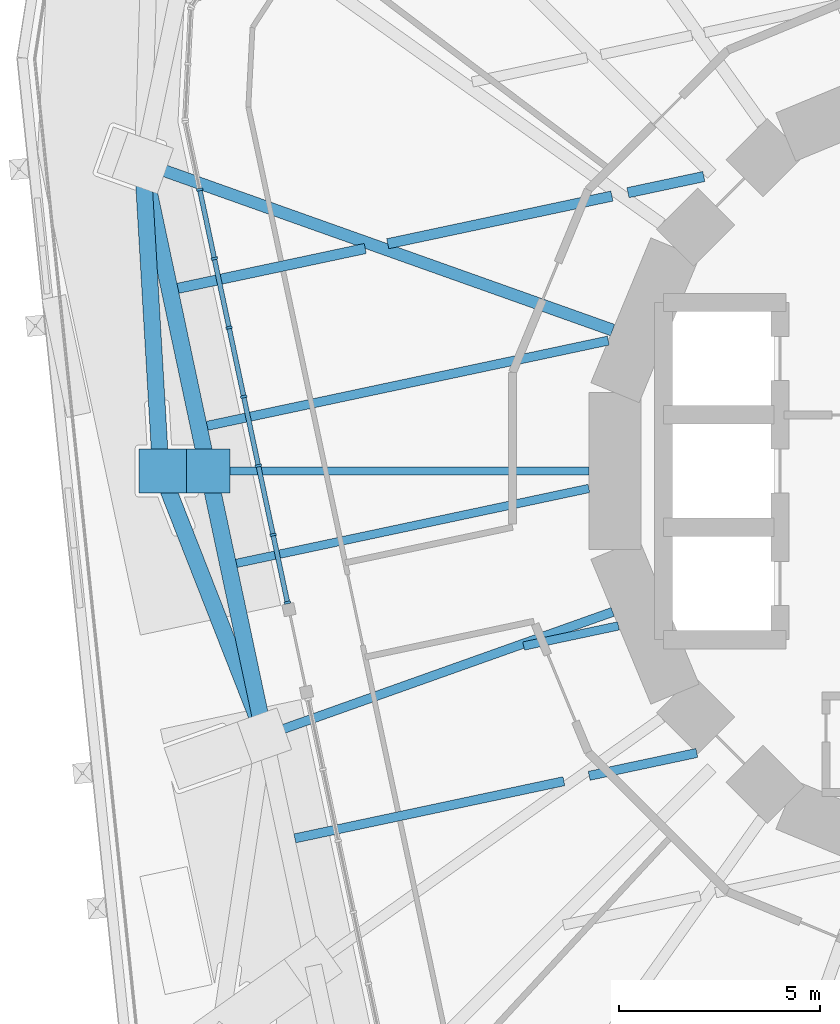
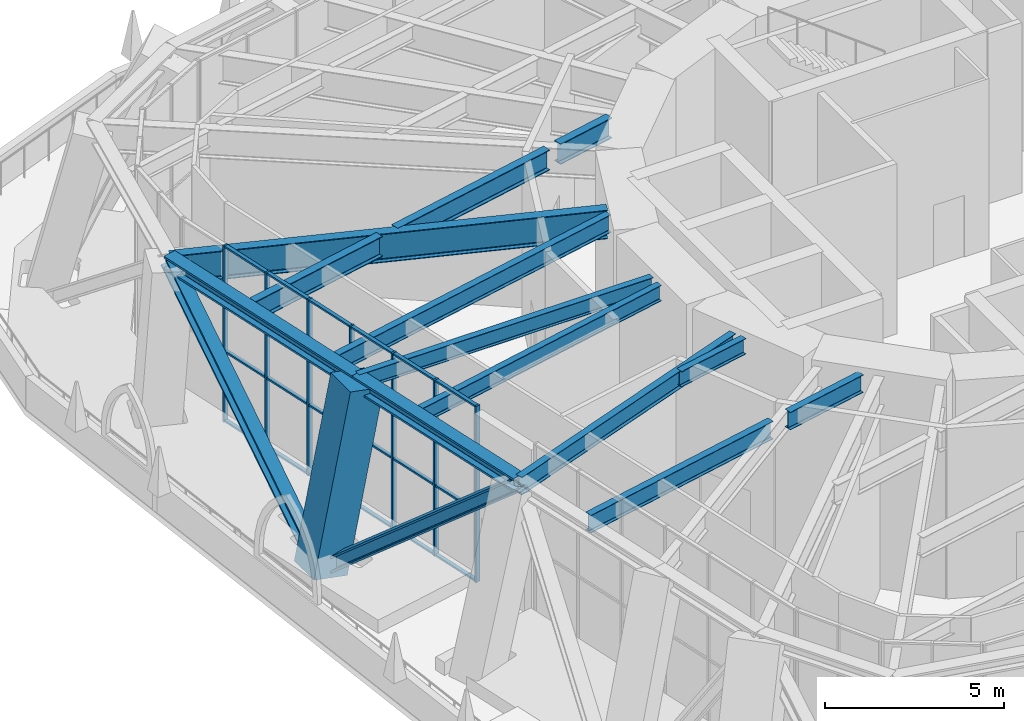
# One storey, part 4 of 23: 30 members, 11 beams, 1 element without a shape of its own.
"""IFC4 building model written with IfcOpenShell, lengths in metres."""

from ifc_helpers import new_model, si_unit, direction, frame, origin, origin_2d, place, context, subcontext, project, spatial, rectangle, i_section, extrude, material, material_profile, profile_set, type_object, element, aggregate, save


model = new_model("IFC4")

# Units and contexts
model_context = context("Model", 3, precision=1e-05, world=origin(), true_north=direction((0.0, 1.0)))
body_context = subcontext(model_context, "Body", "Model", "MODEL_VIEW")
ifc_project = project(units=[si_unit("LENGTHUNIT", "METRE"), si_unit("AREAUNIT", "SQUARE_METRE"), si_unit("VOLUMEUNIT", "CUBIC_METRE"), si_unit("PLANEANGLEUNIT", "RADIAN"), si_unit("MASSUNIT", "GRAM", prefix="KILO")], contexts=[model_context])

# Site, building, storey
site_placement = place(None, origin())
site = spatial("IfcSite", under=ifc_project, at=site_placement, CompositionType="ELEMENT")
building_placement = place(site_placement, origin())
building = spatial("IfcBuilding", under=site, at=building_placement, Name="Nakasero Lantern House", CompositionType="ELEMENT")
storey_placement = place(building_placement, frame((0.0, 0.0, 95.14990234375)))
storey = spatial("IfcBuildingStorey", under=building, at=storey_placement, Name="L23", CompositionType="ELEMENT", Elevation=95.14990234375)

# Members
ifc_material_1 = material(Name="Steel S355", Category="steel")
ifc_material_profile_1 = material_profile(ifc_material_1, i_section(OverallWidth=0.41845703125, OverallDepth=0.45556640625, WebThickness=0.0419921875, FlangeThickness=0.0673828125, FilletRadius=0.01513671875, at=origin_2d()), Name="UC 356x406x551")
ifc_profile_set_1 = profile_set([ifc_material_profile_1], Name="Steel S355")
member_type_1 = type_object("IfcMemberType", Name="Belt truss chord UC 356x406x551", PredefinedType="CHORD", material=ifc_profile_set_1)
member_1_placement = place(storey_placement, frame((-21.5654296875, 7.667724609375, 5.572265625), z_axis=(0.207918725139, -0.978146105516, 0.0), x_axis=(0.978146105516, 0.207918725139, 0.0)))
element("IfcMember", 1, at=member_1_placement, inside=storey, type_object=member_type_1, Name="Belt truss top chord T2 B3-C14T", PredefinedType="CHORD", context=body_context, shape_type="SweptSolid", body=[
    extrude(i_section(OverallWidth=0.41845703125, OverallDepth=0.45556640625, WebThickness=0.0419921875, FlangeThickness=0.0673828125, FilletRadius=0.01513671875, at=origin_2d()), origin(), (0.0, 0.0, 1.0), 7.839111328125),
])
member_2_placement = place(storey_placement, frame((-19.935546875, 0.0, 5.572265625), z_axis=(0.20789299389, -0.978151574702, 0.0), x_axis=(0.978151574702, 0.20789299389, 0.0)))
element("IfcMember", 2, at=member_2_placement, inside=storey, type_object=member_type_1, Name="Belt truss top chord T2 B3-C15T", PredefinedType="CHORD", context=body_context, shape_type="SweptSolid", body=[
    extrude(i_section(OverallWidth=0.41845703125, OverallDepth=0.45556640625, WebThickness=0.0419921875, FlangeThickness=0.0673828125, FilletRadius=0.01513671875, at=origin_2d()), origin(), (0.0, 0.0, 1.0), 6.7373046875),
])
ifc_material_2 = material(Name="Steel S355", Category="steel")
ifc_material_profile_2 = material_profile(ifc_material_2, i_section(OverallWidth=0.412109375, OverallDepth=0.4365234375, WebThickness=0.035888671875, FlangeThickness=0.05810546875, FilletRadius=0.01513671875, at=origin_2d()), Name="UC 356x406x467")
ifc_profile_set_2 = profile_set([ifc_material_profile_2], Name="Steel S355")
member_type_2 = type_object("IfcMemberType", Name="Belt truss diagonal UC 356x406x467", PredefinedType="BRACE", material=ifc_profile_set_2)
member_3_placement = place(storey_placement, frame((-21.5654296875, 7.667724609375, 5.572265625), z_axis=(0.046139881682, -0.78670752659, -0.615599203155), x_axis=(0.998284551389, 0.058548735749, 0.0)))
element("IfcMember", 3, at=member_3_placement, inside=storey, type_object=member_type_2, Name="Belt truss diagonal T2-14", PredefinedType="BRACE", context=body_context, shape_type="SweptSolid", body=[
    extrude(i_section(OverallWidth=0.412109375, OverallDepth=0.4365234375, WebThickness=0.035888671875, FlangeThickness=0.05810546875, FilletRadius=0.01513671875, at=origin_2d()), origin(), (0.0, 0.0, 1.0), 9.74658203125),
])
member_4_placement = place(storey_placement, frame((-21.11572265625, 0.0, -0.427734375), z_axis=(0.278150708675, -0.710256558439, 0.646658955292), x_axis=(0.931142989974, 0.364654263958, 0.0)))
element("IfcMember", 4, at=member_4_placement, inside=storey, type_object=member_type_2, Name="Belt truss diagonal T2-15", PredefinedType="BRACE", context=body_context, shape_type="SweptSolid", body=[
    extrude(i_section(OverallWidth=0.412109375, OverallDepth=0.4365234375, WebThickness=0.035888671875, FlangeThickness=0.05810546875, FilletRadius=0.01513671875, at=origin_2d()), origin(), (0.0, 0.0, 1.0), 9.278564453125),
])

# Beams
ifc_material_3 = material(Name="Steel S355", Category="steel")
ifc_material_profile_3 = material_profile(ifc_material_3, i_section(OverallWidth=0.2099609375, OverallDepth=0.53662109375, WebThickness=0.0107421875, FlangeThickness=0.017333984375, FilletRadius=0.0126953125, at=origin_2d()), Name="UB 533x210x101")
ifc_profile_set_3 = profile_set([ifc_material_profile_3], Name="Steel S355")
beam_type_1 = type_object("IfcBeamType", Name="Infill beam UB 533x210x101", PredefinedType="JOIST", material=ifc_profile_set_3)
beam_1_placement = place(storey_placement, frame((-12.0830078125, -4.357421875, 5.53173828125), z_axis=(0.978151908506, 0.20789142331, 0.0), x_axis=(-0.20789142331, 0.978151908506, 0.0)))
element("IfcBeam", 5, at=beam_1_placement, inside=storey, type_object=beam_type_1, Name="Infill beam L24 07.1", PredefinedType="JOIST", context=body_context, shape_type="SweptSolid", body=[
    extrude(i_section(OverallWidth=0.2099609375, OverallDepth=0.53662109375, WebThickness=0.0107421875, FlangeThickness=0.017333984375, FilletRadius=0.0126953125, at=origin_2d()), origin(), (0.0, 0.0, 1.0), 2.413330078125),
])
beam_2_placement = place(storey_placement, frame((-19.233154296875, -2.299072265625, 5.53173828125), z_axis=(0.978148337079, 0.207908226555, 0.0), x_axis=(-0.207908226555, 0.978148337079, 0.0)))
element("IfcBeam", 6, at=beam_2_placement, inside=storey, type_object=beam_type_1, Name="Infill beam L24 08.1", PredefinedType="JOIST", context=body_context, shape_type="SweptSolid", body=[
    extrude(i_section(OverallWidth=0.2099609375, OverallDepth=0.53662109375, WebThickness=0.0107421875, FlangeThickness=0.017333984375, FilletRadius=0.0126953125, at=origin_2d()), origin(), (0.0, 0.0, 1.0), 8.971435546875),
])
ifc_material_4 = material(Name="Steel S355", Category="steel")
ifc_material_profile_4 = material_profile(ifc_material_4, i_section(OverallWidth=0.2275390625, OverallDepth=0.6025390625, WebThickness=0.010498046875, FlangeThickness=0.014892578125, FilletRadius=0.0126953125, at=origin_2d()), Name="UB 610x229x101")
ifc_profile_set_4 = profile_set([ifc_material_profile_4], Name="Steel S355")
beam_type_2 = type_object("IfcBeamType", Name="Infill beam UB 610x229x101", PredefinedType="JOIST", material=ifc_profile_set_4)
beam_3_placement = place(storey_placement, frame((-17.777587890625, -9.14599609375, 5.498779296875), z_axis=(0.978144983075, 0.207924005553, 0.0), x_axis=(-0.207924005553, 0.978144983075, 0.0)))
element("IfcBeam", 7, at=beam_3_placement, inside=storey, type_object=beam_type_2, Name="Infill beam L24 06.1", PredefinedType="JOIST", context=body_context, shape_type="SweptSolid", body=[
    extrude(i_section(OverallWidth=0.2275390625, OverallDepth=0.6025390625, WebThickness=0.010498046875, FlangeThickness=0.014892578125, FilletRadius=0.0126953125, at=origin_2d()), origin(), (0.0, 0.0, 1.0), 6.8466796875),
])
beam_4_placement = place(storey_placement, frame((-10.450927734375, -7.588623046875, 5.498779296875), z_axis=(0.978155680503, 0.20787367486, 0.0), x_axis=(-0.20787367486, 0.978155680503, 0.0)))
element("IfcBeam", 8, at=beam_4_placement, inside=storey, type_object=beam_type_2, Name="Infill beam L24 06.2", PredefinedType="JOIST", context=body_context, shape_type="SweptSolid", body=[
    extrude(i_section(OverallWidth=0.2275390625, OverallDepth=0.6025390625, WebThickness=0.010498046875, FlangeThickness=0.014892578125, FilletRadius=0.0126953125, at=origin_2d()), origin(), (0.0, 0.0, 1.0), 2.739990234375),
])
beam_5_placement = place(storey_placement, frame((-19.960693359375, 1.12451171875, 5.498779296875), z_axis=(0.978149612104, 0.207902227842, 0.0), x_axis=(-0.207902227842, 0.978149612104, 0.0)))
element("IfcBeam", 9, at=beam_5_placement, inside=storey, type_object=beam_type_2, Name="Infill beam L24 09.1", PredefinedType="JOIST", context=body_context, shape_type="SweptSolid", body=[
    extrude(i_section(OverallWidth=0.2275390625, OverallDepth=0.6025390625, WebThickness=0.010498046875, FlangeThickness=0.014892578125, FilletRadius=0.0126953125, at=origin_2d()), origin(), (0.0, 0.0, 1.0), 10.20947265625),
])
ifc_material_5 = material(Name="Steel S355", Category="steel")
ifc_material_profile_5 = material_profile(ifc_material_5, i_section(OverallWidth=0.255859375, OverallDepth=0.69287109375, WebThickness=0.014404296875, FlangeThickness=0.023681640625, FilletRadius=0.01513671875, at=origin_2d()), Name="UB 686x254x170")
ifc_profile_set_5 = profile_set([ifc_material_profile_5], Name="Steel S355")
beam_type_3 = type_object("IfcBeamType", Name="Infill beam UB 686x254x170", PredefinedType="JOIST", material=ifc_profile_set_5)
beam_6_placement = place(storey_placement, frame((-20.6884765625, 4.548095703125, 5.45361328125), z_axis=(0.97814960752, 0.207902249407, 0.0), x_axis=(-0.207902249407, 0.97814960752, 0.0)))
element("IfcBeam", 10, at=beam_6_placement, inside=storey, type_object=beam_type_3, Name="Infill beam L24 10.1", PredefinedType="JOIST", context=body_context, shape_type="SweptSolid", body=[
    extrude(i_section(OverallWidth=0.255859375, OverallDepth=0.69287109375, WebThickness=0.014404296875, FlangeThickness=0.023681640625, FilletRadius=0.01513671875, at=origin_2d()), origin(), (0.0, 0.0, 1.0), 4.7666015625),
])
beam_7_placement = place(storey_placement, frame((-15.4658203125, 5.658203125, 5.45361328125), z_axis=(0.978153522678, 0.207883828312, 0.0), x_axis=(-0.207883828312, 0.978153522678, 0.0)))
element("IfcBeam", 11, at=beam_7_placement, inside=storey, type_object=beam_type_3, Name="Infill beam L24 10.2", PredefinedType="JOIST", context=body_context, shape_type="SweptSolid", body=[
    extrude(i_section(OverallWidth=0.255859375, OverallDepth=0.69287109375, WebThickness=0.014404296875, FlangeThickness=0.023681640625, FilletRadius=0.01513671875, at=origin_2d()), origin(), (0.0, 0.0, 1.0), 5.70654296875),
])
beam_8_placement = place(storey_placement, frame((-9.4853515625, 6.92919921875, 5.45361328125), z_axis=(0.978130563731, 0.207991827474, 0.0), x_axis=(-0.207991827474, 0.978130563731, 0.0)))
element("IfcBeam", 12, at=beam_8_placement, inside=storey, type_object=beam_type_3, Name="Infill beam L24 10.3", PredefinedType="JOIST", context=body_context, shape_type="SweptSolid", body=[
    extrude(i_section(OverallWidth=0.255859375, OverallDepth=0.69287109375, WebThickness=0.014404296875, FlangeThickness=0.023681640625, FilletRadius=0.01513671875, at=origin_2d()), origin(), (0.0, 0.0, 1.0), 1.930908203125),
])

# Curtain wall, members
ifc_material_6 = material(Name="Aluminium 6063-T6 and glass", Category="aluminium")
curtain_wall_type = type_object("IfcCurtainWallType", Name="Sky lounge glazing CW-3", PredefinedType="USERDEFINED", material=ifc_material_6)
curtain_wall_placement = place(storey_placement, origin())
curtain_wall = element("IfcCurtainWall", 13, at=curtain_wall_placement, inside=storey, type_object=curtain_wall_type, Name="Curtain wall CW-3 L23", ObjectType="STICK CURTAIN WALL", PredefinedType="USERDEFINED")
ifc_material_7 = material(Name="Aluminium 6063-T6", Category="aluminium")
ifc_material_profile_6 = material_profile(ifc_material_7, rectangle(XDim=0.06005859375, YDim=0.159912109375, at=origin_2d()), Name="CW-3 mullion 60x160")
ifc_profile_set_6 = profile_set([ifc_material_profile_6], Name="Aluminium 6063-T6")
member_type_3 = type_object("IfcMemberType", Name="Mullion CW-3", PredefinedType="MULLION", material=ifc_profile_set_6)
member_5_placement = place(storey_placement, frame((-20.147216796875, 7.007080078125, 0.0), z_axis=(0.0, 0.0, 1.0), x_axis=(0.207911690818, -0.978147600734, 0.0)))
member_5 = element("IfcMember", 14, at=member_5_placement, type_object=member_type_3, Name="CW-3 mullion 2", PredefinedType="MULLION", context=body_context, shape_type="SweptSolid", body=[
    extrude(rectangle(XDim=0.06005859375, YDim=0.159912109375, at=origin_2d()), origin(), (0.0, 0.0, 1.0), 6.0),
])
member_6_placement = place(storey_placement, frame((-19.78173828125, 5.288330078125, 0.0), z_axis=(0.0, 0.0, 1.0), x_axis=(0.207911690818, -0.978147600734, 0.0)))
member_6 = element("IfcMember", 15, at=member_6_placement, type_object=member_type_3, Name="CW-3 mullion 3", PredefinedType="MULLION", context=body_context, shape_type="SweptSolid", body=[
    extrude(rectangle(XDim=0.06005859375, YDim=0.159912109375, at=origin_2d()), origin(), (0.0, 0.0, 1.0), 6.0),
])
member_7_placement = place(storey_placement, frame((-19.41650390625, 3.569580078125, 0.0), z_axis=(0.0, 0.0, 1.0), x_axis=(0.207911690818, -0.978147600734, 0.0)))
member_7 = element("IfcMember", 16, at=member_7_placement, type_object=member_type_3, Name="CW-3 mullion 4", PredefinedType="MULLION", context=body_context, shape_type="SweptSolid", body=[
    extrude(rectangle(XDim=0.06005859375, YDim=0.159912109375, at=origin_2d()), origin(), (0.0, 0.0, 1.0), 6.0),
])
member_8_placement = place(storey_placement, frame((-19.051025390625, 1.850830078125, 0.0), z_axis=(0.0, 0.0, 1.0), x_axis=(0.207911690818, -0.978147600734, 0.0)))
member_8 = element("IfcMember", 17, at=member_8_placement, type_object=member_type_3, Name="CW-3 mullion 5", PredefinedType="MULLION", context=body_context, shape_type="SweptSolid", body=[
    extrude(rectangle(XDim=0.06005859375, YDim=0.159912109375, at=origin_2d()), origin(), (0.0, 0.0, 1.0), 6.0),
])
member_9_placement = place(storey_placement, frame((-18.685791015625, 0.132080078125, 0.0), z_axis=(0.0, 0.0, 1.0), x_axis=(0.207911690818, -0.978147600734, 0.0)))
member_9 = element("IfcMember", 18, at=member_9_placement, type_object=member_type_3, Name="CW-3 mullion 6", PredefinedType="MULLION", context=body_context, shape_type="SweptSolid", body=[
    extrude(rectangle(XDim=0.06005859375, YDim=0.159912109375, at=origin_2d()), origin(), (0.0, 0.0, 1.0), 6.0),
])
member_10_placement = place(storey_placement, frame((-18.320556640625, -1.586669921875, 0.0), z_axis=(0.0, 0.0, 1.0), x_axis=(0.207911690818, -0.978147600734, 0.0)))
member_10 = element("IfcMember", 19, at=member_10_placement, type_object=member_type_3, Name="CW-3 mullion 7", PredefinedType="MULLION", context=body_context, shape_type="SweptSolid", body=[
    extrude(rectangle(XDim=0.06005859375, YDim=0.159912109375, at=origin_2d()), origin(), (0.0, 0.0, 1.0), 6.0),
])
member_11_placement = place(storey_placement, frame((-17.96142578125, -3.27587890625, 0.0), z_axis=(0.0, 0.0, 1.0), x_axis=(0.207911690818, -0.978147600734, 0.0)))
member_11 = element("IfcMember", 20, at=member_11_placement, type_object=member_type_3, Name="CW-3 mullion 8", PredefinedType="MULLION", context=body_context, shape_type="SweptSolid", body=[
    extrude(rectangle(XDim=0.06005859375, YDim=0.159912109375, at=origin_2d()), origin(), (0.0, 0.0, 1.0), 6.0),
])

# Beams
ifc_material_8 = material(Name="Steel S355", Category="steel")
ifc_material_profile_7 = material_profile(ifc_material_8, i_section(OverallWidth=0.300048828125, OverallDepth=0.97998046875, WebThickness=0.0166015625, FlangeThickness=0.02587890625, FilletRadius=0.030029296875, at=origin_2d()), Name="UB 1016x305x249")
ifc_profile_set_7 = profile_set([ifc_material_profile_7], Name="Steel S355")
beam_type_4 = type_object("IfcBeamType", Name="Primary beam UB 1016x305x249, span 12 to 15 m", PredefinedType="BEAM", material=ifc_profile_set_7)
beam_9_placement = place(storey_placement, frame((-21.5654296875, 7.667724609375, 5.31005859375), z_axis=(0.942213862739, -0.335011995103, 0.0), x_axis=(0.335011995103, 0.942213862739, 0.0)))
element("IfcBeam", 21, at=beam_9_placement, inside=storey, type_object=beam_type_4, Name="Primary beam L24 B3-C14T", PredefinedType="BEAM", context=body_context, shape_type="SweptSolid", body=[
    extrude(i_section(OverallWidth=0.300048828125, OverallDepth=0.97998046875, WebThickness=0.0166015625, FlangeThickness=0.02587890625, FilletRadius=0.030029296875, at=origin_2d()), origin(), (0.0, 0.0, 1.0), 12.41650390625),
])
ifc_material_9 = material(Name="Steel S355", Category="steel")
ifc_material_profile_8 = material_profile(ifc_material_9, i_section(OverallWidth=0.208740234375, OverallDepth=0.5283203125, WebThickness=0.009521484375, FlangeThickness=0.01318359375, FilletRadius=0.0126953125, at=origin_2d()), Name="UB 533x210x82")
ifc_profile_set_8 = profile_set([ifc_material_profile_8], Name="Steel S355")
beam_type_5 = type_object("IfcBeamType", Name="Primary beam UB 533x210x82, span 9 to 12 m", PredefinedType="BEAM", material=ifc_profile_set_8)
beam_10_placement = place(storey_placement, frame((-19.935546875, 0.0, 5.535888671875), z_axis=(1.0, 0.0, 0.0), x_axis=(0.0, 1.0, 0.0)))
element("IfcBeam", 22, at=beam_10_placement, inside=storey, type_object=beam_type_5, Name="Primary beam L24 B3-C15T", PredefinedType="BEAM", context=body_context, shape_type="SweptSolid", body=[
    extrude(i_section(OverallWidth=0.208740234375, OverallDepth=0.5283203125, WebThickness=0.009521484375, FlangeThickness=0.01318359375, FilletRadius=0.0126953125, at=origin_2d()), origin(), (0.0, 0.0, 1.0), 9.477783203125),
])
ifc_material_10 = material(Name="Steel S355", Category="steel")
ifc_material_profile_9 = material_profile(ifc_material_10, i_section(OverallWidth=0.2275390625, OverallDepth=0.6025390625, WebThickness=0.010498046875, FlangeThickness=0.014892578125, FilletRadius=0.0126953125, at=origin_2d()), Name="UB 610x229x101")
ifc_profile_set_9 = profile_set([ifc_material_profile_9], Name="Steel S355")
beam_type_6 = type_object("IfcBeamType", Name="Primary beam UB 610x229x101, span 9 to 12 m", PredefinedType="BEAM", material=ifc_profile_set_9)
beam_11_placement = place(storey_placement, frame((-18.534912109375, -6.590087890625, 5.498779296875), z_axis=(0.942217668513, 0.335001291255, 0.0), x_axis=(-0.335001291255, 0.942217668513, 0.0)))
element("IfcBeam", 23, at=beam_11_placement, inside=storey, type_object=beam_type_6, Name="Primary beam L24 B3-C16T", PredefinedType="BEAM", context=body_context, shape_type="SweptSolid", body=[
    extrude(i_section(OverallWidth=0.2275390625, OverallDepth=0.6025390625, WebThickness=0.010498046875, FlangeThickness=0.014892578125, FilletRadius=0.0126953125, at=origin_2d()), origin(), (0.0, 0.0, 1.0), 9.199951171875),
])

# Member
ifc_material_11 = material(Name="Concrete C50/60", Category="concrete")
ifc_material_profile_10 = material_profile(ifc_material_11, rectangle(XDim=1.10009765625, YDim=1.10009765625, at=origin_2d()), Name="RC 1100x1100")
ifc_profile_set_10 = profile_set([ifc_material_profile_10], Name="Concrete C50/60")
member_type_4 = type_object("IfcMemberType", Name="Raking column RC 1100x1100 C50/60", PredefinedType="STRUT", material=ifc_profile_set_10)
member_12_placement = place(storey_placement, frame((-21.11572265625, 0.0, -0.427734375), z_axis=(0.192997915508, 0.0, 0.981199166637), x_axis=(0.0, 1.0, 0.0)))
element("IfcMember", 24, at=member_12_placement, inside=storey, type_object=member_type_4, Name="Raking column B3-C15T L23", PredefinedType="STRUT", context=body_context, shape_type="SweptSolid", body=[
    extrude(rectangle(XDim=1.10009765625, YDim=1.10009765625, at=origin_2d()), origin(), (0.0, 0.0, 1.0), 6.114990234375),
])

ifc_material_12 = material(Name="Aluminium 6063-T6", Category="aluminium")
ifc_material_profile_11 = material_profile(ifc_material_12, rectangle(XDim=0.06005859375, YDim=0.1201171875, at=origin_2d()), Name="CW-3 transom 60x120")
ifc_profile_set_11 = profile_set([ifc_material_profile_11], Name="Aluminium 6063-T6")
member_type_5 = type_object("IfcMemberType", Name="Transom CW-3", PredefinedType="USERDEFINED", material=ifc_profile_set_11)
member_13_placement = place(storey_placement, frame((-20.140869140625, 6.977783203125, 0.030029296875), z_axis=(0.207888006632, -0.978152634663, 0.0), x_axis=(0.0, 0.0, 1.0)))
member_13 = element("IfcMember", 25, at=member_13_placement, type_object=member_type_5, Name="CW-3 transom 2.1", ObjectType="TRANSOM", PredefinedType="USERDEFINED", context=body_context, shape_type="SweptSolid", body=[
    extrude(rectangle(XDim=0.06005859375, YDim=0.1201171875, at=origin_2d()), origin(), (0.0, 0.0, 1.0), 1.697021484375),
])

member_14_placement = place(storey_placement, frame((-20.140869140625, 6.977783203125, 2.400146484375), z_axis=(0.207888006632, -0.978152634663, 0.0), x_axis=(0.0, 0.0, 1.0)))
member_14 = element("IfcMember", 26, at=member_14_placement, type_object=member_type_5, Name="CW-3 transom 2.2", ObjectType="TRANSOM", PredefinedType="USERDEFINED", context=body_context, shape_type="SweptSolid", body=[
    extrude(rectangle(XDim=0.06005859375, YDim=0.1201171875, at=origin_2d()), origin(), (0.0, 0.0, 1.0), 1.697021484375),
])

member_15_placement = place(storey_placement, frame((-20.140869140625, 6.977783203125, 5.97021484375), z_axis=(0.207888006632, -0.978152634663, 0.0), x_axis=(0.0, 0.0, 1.0)))
member_15 = element("IfcMember", 27, at=member_15_placement, type_object=member_type_5, Name="CW-3 transom 2.3", ObjectType="TRANSOM", PredefinedType="USERDEFINED", context=body_context, shape_type="SweptSolid", body=[
    extrude(rectangle(XDim=0.06005859375, YDim=0.1201171875, at=origin_2d()), origin(), (0.0, 0.0, 1.0), 1.697021484375),
])

member_16_placement = place(storey_placement, frame((-19.775634765625, 5.259033203125, 0.030029296875), z_axis=(0.208025650021, -0.978123371019, 0.0), x_axis=(0.0, 0.0, 1.0)))
member_16 = element("IfcMember", 28, at=member_16_placement, type_object=member_type_5, Name="CW-3 transom 3.1", ObjectType="TRANSOM", PredefinedType="USERDEFINED", context=body_context, shape_type="SweptSolid", body=[
    extrude(rectangle(XDim=0.06005859375, YDim=0.1201171875, at=origin_2d()), origin(), (0.0, 0.0, 1.0), 1.697021484375),
])

member_17_placement = place(storey_placement, frame((-19.775634765625, 5.259033203125, 2.400146484375), z_axis=(0.208025650021, -0.978123371019, 0.0), x_axis=(0.0, 0.0, 1.0)))
member_17 = element("IfcMember", 29, at=member_17_placement, type_object=member_type_5, Name="CW-3 transom 3.2", ObjectType="TRANSOM", PredefinedType="USERDEFINED", context=body_context, shape_type="SweptSolid", body=[
    extrude(rectangle(XDim=0.06005859375, YDim=0.1201171875, at=origin_2d()), origin(), (0.0, 0.0, 1.0), 1.697021484375),
])

member_18_placement = place(storey_placement, frame((-19.775634765625, 5.259033203125, 5.97021484375), z_axis=(0.208025650021, -0.978123371019, 0.0), x_axis=(0.0, 0.0, 1.0)))
member_18 = element("IfcMember", 30, at=member_18_placement, type_object=member_type_5, Name="CW-3 transom 3.3", ObjectType="TRANSOM", PredefinedType="USERDEFINED", context=body_context, shape_type="SweptSolid", body=[
    extrude(rectangle(XDim=0.06005859375, YDim=0.1201171875, at=origin_2d()), origin(), (0.0, 0.0, 1.0), 1.697021484375),
])

member_19_placement = place(storey_placement, frame((-19.41015625, 3.540283203125, 0.030029296875), z_axis=(0.207888006632, -0.978152634663, 0.0), x_axis=(0.0, 0.0, 1.0)))
member_19 = element("IfcMember", 31, at=member_19_placement, type_object=member_type_5, Name="CW-3 transom 4.1", ObjectType="TRANSOM", PredefinedType="USERDEFINED", context=body_context, shape_type="SweptSolid", body=[
    extrude(rectangle(XDim=0.06005859375, YDim=0.1201171875, at=origin_2d()), origin(), (0.0, 0.0, 1.0), 1.697021484375),
])

member_20_placement = place(storey_placement, frame((-19.41015625, 3.540283203125, 2.400146484375), z_axis=(0.207888006632, -0.978152634663, 0.0), x_axis=(0.0, 0.0, 1.0)))
member_20 = element("IfcMember", 32, at=member_20_placement, type_object=member_type_5, Name="CW-3 transom 4.2", ObjectType="TRANSOM", PredefinedType="USERDEFINED", context=body_context, shape_type="SweptSolid", body=[
    extrude(rectangle(XDim=0.06005859375, YDim=0.1201171875, at=origin_2d()), origin(), (0.0, 0.0, 1.0), 1.697021484375),
])

member_21_placement = place(storey_placement, frame((-19.41015625, 3.540283203125, 5.97021484375), z_axis=(0.207888006632, -0.978152634663, 0.0), x_axis=(0.0, 0.0, 1.0)))
member_21 = element("IfcMember", 33, at=member_21_placement, type_object=member_type_5, Name="CW-3 transom 4.3", ObjectType="TRANSOM", PredefinedType="USERDEFINED", context=body_context, shape_type="SweptSolid", body=[
    extrude(rectangle(XDim=0.06005859375, YDim=0.1201171875, at=origin_2d()), origin(), (0.0, 0.0, 1.0), 1.697021484375),
])

member_22_placement = place(storey_placement, frame((-19.044921875, 1.821533203125, 0.030029296875), z_axis=(0.207888006632, -0.978152634663, 0.0), x_axis=(0.0, 0.0, 1.0)))
member_22 = element("IfcMember", 34, at=member_22_placement, type_object=member_type_5, Name="CW-3 transom 5.1", ObjectType="TRANSOM", PredefinedType="USERDEFINED", context=body_context, shape_type="SweptSolid", body=[
    extrude(rectangle(XDim=0.06005859375, YDim=0.1201171875, at=origin_2d()), origin(), (0.0, 0.0, 1.0), 1.697021484375),
])

member_23_placement = place(storey_placement, frame((-19.044921875, 1.821533203125, 2.400146484375), z_axis=(0.207888006632, -0.978152634663, 0.0), x_axis=(0.0, 0.0, 1.0)))
member_23 = element("IfcMember", 35, at=member_23_placement, type_object=member_type_5, Name="CW-3 transom 5.2", ObjectType="TRANSOM", PredefinedType="USERDEFINED", context=body_context, shape_type="SweptSolid", body=[
    extrude(rectangle(XDim=0.06005859375, YDim=0.1201171875, at=origin_2d()), origin(), (0.0, 0.0, 1.0), 1.697021484375),
])

member_24_placement = place(storey_placement, frame((-19.044921875, 1.821533203125, 5.97021484375), z_axis=(0.207888006632, -0.978152634663, 0.0), x_axis=(0.0, 0.0, 1.0)))
member_24 = element("IfcMember", 36, at=member_24_placement, type_object=member_type_5, Name="CW-3 transom 5.3", ObjectType="TRANSOM", PredefinedType="USERDEFINED", context=body_context, shape_type="SweptSolid", body=[
    extrude(rectangle(XDim=0.06005859375, YDim=0.1201171875, at=origin_2d()), origin(), (0.0, 0.0, 1.0), 1.697021484375),
])

member_25_placement = place(storey_placement, frame((-18.6796875, 0.102783203125, 0.030029296875), z_axis=(0.208025650021, -0.978123371019, 0.0), x_axis=(0.0, 0.0, 1.0)))
member_25 = element("IfcMember", 37, at=member_25_placement, type_object=member_type_5, Name="CW-3 transom 6.1", ObjectType="TRANSOM", PredefinedType="USERDEFINED", context=body_context, shape_type="SweptSolid", body=[
    extrude(rectangle(XDim=0.06005859375, YDim=0.1201171875, at=origin_2d()), origin(), (0.0, 0.0, 1.0), 1.697021484375),
])

member_26_placement = place(storey_placement, frame((-18.6796875, 0.102783203125, 2.400146484375), z_axis=(0.208025650021, -0.978123371019, 0.0), x_axis=(0.0, 0.0, 1.0)))
member_26 = element("IfcMember", 38, at=member_26_placement, type_object=member_type_5, Name="CW-3 transom 6.2", ObjectType="TRANSOM", PredefinedType="USERDEFINED", context=body_context, shape_type="SweptSolid", body=[
    extrude(rectangle(XDim=0.06005859375, YDim=0.1201171875, at=origin_2d()), origin(), (0.0, 0.0, 1.0), 1.697021484375),
])

member_27_placement = place(storey_placement, frame((-18.6796875, 0.102783203125, 5.97021484375), z_axis=(0.208025650021, -0.978123371019, 0.0), x_axis=(0.0, 0.0, 1.0)))
member_27 = element("IfcMember", 39, at=member_27_placement, type_object=member_type_5, Name="CW-3 transom 6.3", ObjectType="TRANSOM", PredefinedType="USERDEFINED", context=body_context, shape_type="SweptSolid", body=[
    extrude(rectangle(XDim=0.06005859375, YDim=0.1201171875, at=origin_2d()), origin(), (0.0, 0.0, 1.0), 1.697021484375),
])

member_28_placement = place(storey_placement, frame((-18.314208984375, -1.615966796875, 0.030029296875), z_axis=(0.207958591886, -0.978137630429, 0.0), x_axis=(0.0, 0.0, 1.0)))
member_28 = element("IfcMember", 40, at=member_28_placement, type_object=member_type_5, Name="CW-3 transom 7.1", ObjectType="TRANSOM", PredefinedType="USERDEFINED", context=body_context, shape_type="SweptSolid", body=[
    extrude(rectangle(XDim=0.06005859375, YDim=0.1201171875, at=origin_2d()), origin(), (0.0, 0.0, 1.0), 1.6669921875),
])

member_29_placement = place(storey_placement, frame((-18.314208984375, -1.615966796875, 2.400146484375), z_axis=(0.207958591886, -0.978137630429, 0.0), x_axis=(0.0, 0.0, 1.0)))
member_29 = element("IfcMember", 41, at=member_29_placement, type_object=member_type_5, Name="CW-3 transom 7.2", ObjectType="TRANSOM", PredefinedType="USERDEFINED", context=body_context, shape_type="SweptSolid", body=[
    extrude(rectangle(XDim=0.06005859375, YDim=0.1201171875, at=origin_2d()), origin(), (0.0, 0.0, 1.0), 1.6669921875),
])

member_30_placement = place(storey_placement, frame((-18.314208984375, -1.615966796875, 5.97021484375), z_axis=(0.207958591886, -0.978137630429, 0.0), x_axis=(0.0, 0.0, 1.0)))
member_30 = element("IfcMember", 42, at=member_30_placement, type_object=member_type_5, Name="CW-3 transom 7.3", ObjectType="TRANSOM", PredefinedType="USERDEFINED", context=body_context, shape_type="SweptSolid", body=[
    extrude(rectangle(XDim=0.06005859375, YDim=0.1201171875, at=origin_2d()), origin(), (0.0, 0.0, 1.0), 1.6669921875),
])

aggregate(curtain_wall, [member_5, member_6, member_7, member_8, member_9, member_10, member_11, member_13, member_14, member_15, member_16, member_17, member_18, member_19, member_20, member_21, member_22, member_23, member_24, member_25, member_26, member_27, member_28, member_29, member_30])

save(model, "model.ifc")
